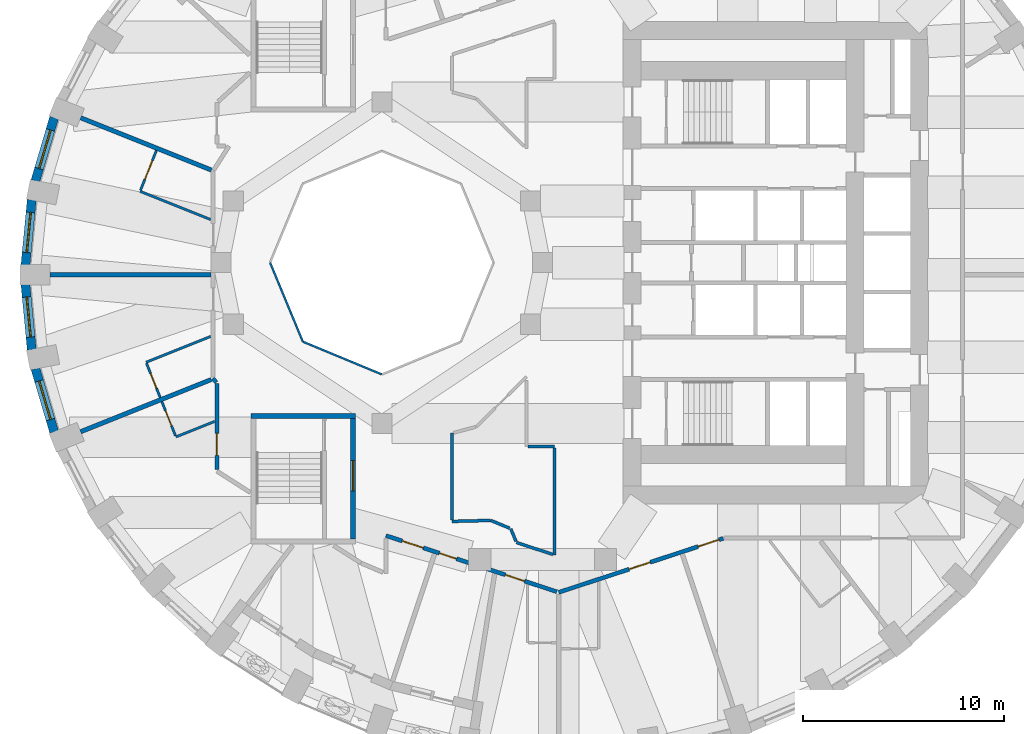
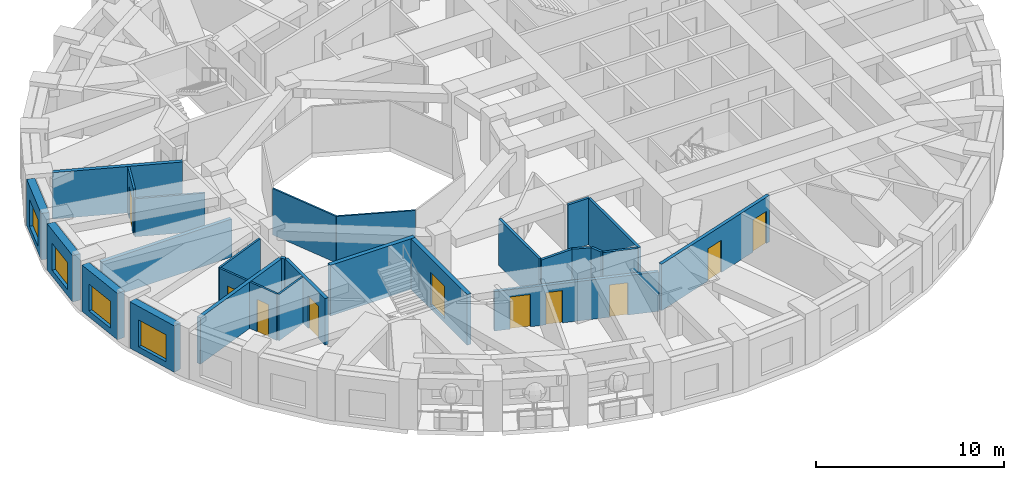
# One storey, part 4 of 12: 28 walls, 10 doors, 4 windows, 14 openings.
"""IFC4 building model written with IfcOpenShell, lengths in metres."""

from ifc_helpers import new_model, si_unit, direction, frame, frame_2d, origin, place, context, subcontext, project, spatial, rectangle, extrude, material, layer, layer_set, type_object, element, fill, save


model = new_model("IFC4")

# Units and contexts
model_context = context("Model", 3, precision=1e-05, world=origin(), true_north=direction((0.0, 1.0)))
body_context = subcontext(model_context, "Body", "Model", "MODEL_VIEW")
ifc_project = project(units=[si_unit("LENGTHUNIT", "METRE"), si_unit("AREAUNIT", "SQUARE_METRE"), si_unit("VOLUMEUNIT", "CUBIC_METRE"), si_unit("PLANEANGLEUNIT", "RADIAN"), si_unit("MASSUNIT", "GRAM", prefix="KILO")], contexts=[model_context])

# Site, building, storey
site_placement = place(None, origin())
site = spatial("IfcSite", under=ifc_project, at=site_placement, CompositionType="ELEMENT")
building_placement = place(site_placement, origin())
building = spatial("IfcBuilding", under=site, at=building_placement, Name="Taillehof Tower", CompositionType="ELEMENT")
storey_placement = place(building_placement, frame((0.0, 0.0, 118.60009765625)))
storey = spatial("IfcBuildingStorey", under=building, at=storey_placement, Name="L33", CompositionType="ELEMENT", Elevation=118.60009765625)

# Walls
ifc_material_1 = material(Name="Fire-resisting glass in steel frame", Category="steel")
ifc_layer_1 = layer(ifc_material_1, 0.10009765625)
ifc_layer_set_1 = layer_set([ifc_layer_1], Name="Atrium fire-resisting screen EI 60 100")
wall_type_1 = type_object("IfcWallType", Name="Atrium fire-resisting screen EI 60 100", PredefinedType="PARTITIONING", material=ifc_layer_set_1)
for number, where, z_axis, x_axis, name in (
    (1, (-8.0, -5.55419921875, 0.0), (0.0, 0.0, 1.0), (-0.923860025149, 0.382730523909, 0.0), "Atrium screen"),
    (2, (-11.92724609375, -3.92724609375, 0.0), (0.0, 0.0, 1.0), (-0.382730523909, 0.923860025149, 0.0), "Atrium screen"),
):
    element("IfcWall", number, at=place(storey_placement, frame(where, z_axis=z_axis, x_axis=x_axis)), inside=storey, type_object=wall_type_1, Name=name, PredefinedType="PARTITIONING", context=body_context, shape_type="SweptSolid", body=[
        extrude(rectangle(XDim=4.2509765625, YDim=0.10009765625, at=frame_2d((2.12548828125, 0.0))), origin(), (0.0, 0.0, 1.0), 3.02001953125),
    ])

# Wall, opening, window
ifc_material_2 = material(Name="Brick masonry", Category="masonry")
ifc_layer_2 = layer(ifc_material_2, 0.449951171875)
ifc_layer_set_2 = layer_set([ifc_layer_2], Name="Brick infill wall 450")
wall_type_2 = type_object("IfcWallType", Name="Brick infill wall 450", PredefinedType="SOLIDWALL", material=ifc_layer_set_2)
wall_1_placement = place(storey_placement, frame((-24.302001953125, 7.220703125, 0.0), z_axis=(0.0, 0.0, 1.0), x_axis=(-0.283071248438, -0.959098883488, 0.0)))
wall_1 = element("IfcWall", 3, at=wall_1_placement, inside=storey, type_object=wall_type_2, Name="Brick wall L33 bay 17", PredefinedType="SOLIDWALL", context=body_context, shape_type="SweptSolid", body=[
    extrude(rectangle(XDim=3.2861328125, YDim=0.449951171875, at=frame_2d((1.64306640625, 0.0))), origin(), (0.0, 0.0, 1.0), 3.02001953125),
])
opening_1_placement = place(wall_1_placement, frame((0.64306640625, 0.0, 0.39990234375)))
opening_1 = element("IfcOpeningElement", 4, at=opening_1_placement, cuts=wall_1, Name="Opening W2", PredefinedType="OPENING", context=body_context, shape_type="SweptSolid", body=[
    extrude(rectangle(XDim=2.0, YDim=1.75, at=frame_2d((1.0, 0.875))), frame((0.0, 0.23486328125, 0.0), z_axis=(0.0, -1.0, 0.0), x_axis=(1.0, 0.0, 0.0)), (0.0, 0.0, 1.0), 0.469970703125),
])
ifc_material_3 = material(Name="Aluminium window frame with clear double glazing", Category="aluminium")
window_type = type_object("IfcWindowType", Name="Deep-set window 2000x1750", PartitioningType="SINGLE_PANEL", PredefinedType="WINDOW", material=ifc_material_3)
window_1_placement = place(opening_1_placement, origin())
window_1 = element("IfcWindow", 5, at=window_1_placement, inside=storey, type_object=window_type, Name="W2", OverallHeight=1.75, OverallWidth=2.0, PartitioningType="SINGLE_PANEL", PredefinedType="WINDOW", context=body_context, shape_type="SweptSolid", body=[
    extrude(rectangle(XDim=2.0, YDim=1.75, at=frame_2d((1.0, 0.875))), frame((0.0, 0.034912109375, 0.0), z_axis=(0.0, -1.0, 0.0), x_axis=(1.0, 0.0, 0.0)), (0.0, 0.0, 1.0), 0.06005859375),
])
fill(opening_1, window_1)

wall_2_placement = place(storey_placement, frame((-25.414794921875, 3.12646484375, 0.0), z_axis=(0.0, 0.0, 1.0), x_axis=(-0.095967726544, -0.995384446062, 0.0)))
wall_2 = element("IfcWall", 6, at=wall_2_placement, inside=storey, type_object=wall_type_2, Name="Brick wall L33 bay 18", PredefinedType="SOLIDWALL", context=body_context, shape_type="SweptSolid", body=[
    extrude(rectangle(XDim=3.261474609375, YDim=0.449951171875, at=frame_2d((1.630859375, 0.0))), origin(), (0.0, 0.0, 1.0), 3.02001953125),
])
opening_2_placement = place(wall_2_placement, frame((0.630615234375, 0.0, 0.39990234375)))
opening_2 = element("IfcOpeningElement", 7, at=opening_2_placement, cuts=wall_2, Name="Opening W2", PredefinedType="OPENING", context=body_context, shape_type="SweptSolid", body=[
    extrude(rectangle(XDim=2.0, YDim=1.75, at=frame_2d((1.0, 0.875))), frame((0.0, 0.23486328125, 0.0), z_axis=(0.0, -1.0, 0.0), x_axis=(1.0, 0.0, 0.0)), (0.0, 0.0, 1.0), 0.469970703125),
])
window_2_placement = place(opening_2_placement, origin())
window_2 = element("IfcWindow", 8, at=window_2_placement, inside=storey, type_object=window_type, Name="W2", OverallHeight=1.75, OverallWidth=2.0, PartitioningType="SINGLE_PANEL", PredefinedType="WINDOW", context=body_context, shape_type="SweptSolid", body=[
    extrude(rectangle(XDim=2.0, YDim=1.75, at=frame_2d((1.0, 0.875))), frame((0.0, 0.034912109375, 0.0), z_axis=(0.0, -1.0, 0.0), x_axis=(1.0, 0.0, 0.0)), (0.0, 0.0, 1.0), 0.06005859375),
])
fill(opening_2, window_2)

wall_3_placement = place(storey_placement, frame((-25.727783203125, -1.080078125, 0.0), z_axis=(0.0, 0.0, 1.0), x_axis=(0.095967726544, -0.995384446062, 0.0)))
wall_3 = element("IfcWall", 9, at=wall_3_placement, inside=storey, type_object=wall_type_2, Name="Brick wall L33 bay 19", PredefinedType="SOLIDWALL", context=body_context, shape_type="SweptSolid", body=[
    extrude(rectangle(XDim=3.261474609375, YDim=0.449951171875, at=frame_2d((1.630859375, 0.0))), origin(), (0.0, 0.0, 1.0), 3.02001953125),
])
opening_3_placement = place(wall_3_placement, frame((0.630615234375, 0.0, 0.39990234375)))
opening_3 = element("IfcOpeningElement", 10, at=opening_3_placement, cuts=wall_3, Name="Opening W2", PredefinedType="OPENING", context=body_context, shape_type="SweptSolid", body=[
    extrude(rectangle(XDim=2.0, YDim=1.75, at=frame_2d((1.0, 0.875))), frame((0.0, 0.23486328125, 0.0), z_axis=(0.0, -1.0, 0.0), x_axis=(1.0, 0.0, 0.0)), (0.0, 0.0, 1.0), 0.469970703125),
])
window_3_placement = place(opening_3_placement, origin())
window_3 = element("IfcWindow", 11, at=window_3_placement, inside=storey, type_object=window_type, Name="W2", OverallHeight=1.75, OverallWidth=2.0, PartitioningType="SINGLE_PANEL", PredefinedType="WINDOW", context=body_context, shape_type="SweptSolid", body=[
    extrude(rectangle(XDim=2.0, YDim=1.75, at=frame_2d((1.0, 0.875))), frame((0.0, 0.034912109375, 0.0), z_axis=(0.0, -1.0, 0.0), x_axis=(1.0, 0.0, 0.0)), (0.0, 0.0, 1.0), 0.06005859375),
])
fill(opening_3, window_3)

wall_4_placement = place(storey_placement, frame((-25.232177734375, -5.26904296875, 0.0), z_axis=(0.0, 0.0, 1.0), x_axis=(0.283051078697, -0.959104836214, 0.0)))
wall_4 = element("IfcWall", 12, at=wall_4_placement, inside=storey, type_object=wall_type_2, Name="Brick wall L33 bay 20", PredefinedType="SOLIDWALL", context=body_context, shape_type="SweptSolid", body=[
    extrude(rectangle(XDim=3.2861328125, YDim=0.449951171875, at=frame_2d((1.64306640625, 0.0))), origin(), (0.0, 0.0, 1.0), 3.02001953125),
])
opening_4_placement = place(wall_4_placement, frame((0.64306640625, 0.0, 0.39990234375)))
opening_4 = element("IfcOpeningElement", 13, at=opening_4_placement, cuts=wall_4, Name="Opening W2", PredefinedType="OPENING", context=body_context, shape_type="SweptSolid", body=[
    extrude(rectangle(XDim=2.0, YDim=1.75, at=frame_2d((1.0, 0.875))), frame((0.0, 0.23486328125, 0.0), z_axis=(0.0, -1.0, 0.0), x_axis=(1.0, 0.0, 0.0)), (0.0, 0.0, 1.0), 0.469970703125),
])
window_4_placement = place(opening_4_placement, origin())
window_4 = element("IfcWindow", 14, at=window_4_placement, inside=storey, type_object=window_type, Name="W2", OverallHeight=1.75, OverallWidth=2.0, PartitioningType="SINGLE_PANEL", PredefinedType="WINDOW", context=body_context, shape_type="SweptSolid", body=[
    extrude(rectangle(XDim=2.0, YDim=1.75, at=frame_2d((1.0, 0.875))), frame((0.0, 0.034912109375, 0.0), z_axis=(0.0, -1.0, 0.0), x_axis=(1.0, 0.0, 0.0)), (0.0, 0.0, 1.0), 0.06005859375),
])
fill(opening_4, window_4)

# Wall, opening, door
ifc_material_4 = material(Name="Gypsum board on steel studs, two layers each side", Category="steel")
ifc_layer_3 = layer(ifc_material_4, 0.199951171875)
ifc_layer_set_3 = layer_set([ifc_layer_3], Name="Compartment wall corridor 200")
wall_type_3 = type_object("IfcWallType", Name="Compartment wall corridor 200", PredefinedType="PARTITIONING", material=ifc_layer_set_3)
wall_5_placement = place(storey_placement, frame((-16.199951171875, -10.294189453125, 0.0), z_axis=(0.0, 0.0, 1.0), x_axis=(0.0, 1.0, 0.0)))
wall_5 = element("IfcWall", 15, at=wall_5_placement, inside=storey, type_object=wall_type_3, Name="Compartment wall", PredefinedType="PARTITIONING", context=body_context, shape_type="SweptSolid", body=[
    extrude(rectangle(XDim=4.285400390625, YDim=0.199951171875, at=frame_2d((2.142578125, 0.0))), origin(), (0.0, 0.0, 1.0), 3.02001953125),
])
opening_5_placement = place(wall_5_placement, frame((0.703125, 0.0, 0.0)))
opening_5 = element("IfcOpeningElement", 16, at=opening_5_placement, cuts=wall_5, Name="Opening D3352", PredefinedType="OPENING", context=body_context, shape_type="SweptSolid", body=[
    extrude(rectangle(XDim=1.10009765625, YDim=2.10009765625, at=frame_2d((0.550048828125, 1.050048828125))), frame((0.0, 0.10986328125, 0.0), z_axis=(0.0, -1.0, 0.0), x_axis=(1.0, 0.0, 0.0)), (0.0, 0.0, 1.0), 0.219970703125),
])
ifc_material_5 = material(Name="Timber door leaf in steel frame", Category="steel")
door_type_1 = type_object("IfcDoorType", Name="Suite entrance door EI 30 1100 x 2100", OperationType="SINGLE_SWING_LEFT", PredefinedType="DOOR", material=ifc_material_5)
door_1_placement = place(opening_5_placement, origin())
door_1 = element("IfcDoor", 17, at=door_1_placement, inside=storey, type_object=door_type_1, Name="D3352", OperationType="SINGLE_SWING_RIGHT", OverallHeight=2.10009765625, OverallWidth=1.10009765625, PredefinedType="DOOR", context=body_context, shape_type="SweptSolid", body=[
    extrude(rectangle(XDim=1.10009765625, YDim=2.10009765625, at=frame_2d((0.550048828125, 1.050048828125))), frame((0.0, 0.02490234375, 0.0), z_axis=(0.0, -1.0, 0.0), x_axis=(1.0, 0.0, 0.0)), (0.0, 0.0, 1.0), 0.050048828125),
])
fill(opening_5, door_1)

# Wall
wall_6_placement = place(storey_placement, frame((-16.236572265625, -5.961181640625, 0.0), z_axis=(0.0, 0.0, 1.0), x_axis=(-0.61310674242, 0.790000077468, 0.0)))
element("IfcWall", 18, at=wall_6_placement, inside=storey, type_object=wall_type_3, Name="Compartment wall", PredefinedType="PARTITIONING", context=body_context, shape_type="SweptSolid", body=[
    extrude(rectangle(XDim=0.263671875, YDim=0.199951171875, at=frame_2d((0.1318359375, 0.0))), origin(), (0.0, 0.0, 1.0), 3.02001953125),
])

# Wall, openings, doors
wall_7_placement = place(storey_placement, frame((8.984130859375, -13.712646484375, 0.0), z_axis=(0.0, 0.0, 1.0), x_axis=(-0.950093687873, -0.311964716378, 0.0)))
wall_7 = element("IfcWall", 19, at=wall_7_placement, inside=storey, type_object=wall_type_3, Name="Compartment wall", PredefinedType="PARTITIONING", context=body_context, shape_type="SweptSolid", body=[
    extrude(rectangle(XDim=8.614013671875, YDim=0.199951171875, at=frame_2d((4.30712890625, 0.0))), origin(), (0.0, 0.0, 1.0), 3.02001953125),
])
opening_6_placement = place(wall_7_placement, frame((3.819580078125, 0.0, 0.0)))
opening_6 = element("IfcOpeningElement", 20, at=opening_6_placement, cuts=wall_7, Name="Opening D3358", PredefinedType="OPENING", context=body_context, shape_type="SweptSolid", body=[
    extrude(rectangle(XDim=1.10009765625, YDim=2.10009765625, at=frame_2d((0.550048828125, 1.050048828125))), frame((0.0, 0.10986328125, 0.0), z_axis=(0.0, -1.0, 0.0), x_axis=(1.0, 0.0, 0.0)), (0.0, 0.0, 1.0), 0.219970703125),
])
opening_7_placement = place(wall_7_placement, frame((0.219970703125, 0.0, 0.0)))
opening_7 = element("IfcOpeningElement", 21, at=opening_7_placement, cuts=wall_7, Name="Opening D3360", PredefinedType="OPENING", context=body_context, shape_type="SweptSolid", body=[
    extrude(rectangle(XDim=1.10009765625, YDim=2.10009765625, at=frame_2d((0.550048828125, 1.050048828125))), frame((0.0, 0.10986328125, 0.0), z_axis=(0.0, -1.0, 0.0), x_axis=(1.0, 0.0, 0.0)), (0.0, 0.0, 1.0), 0.219970703125),
])
door_2_placement = place(opening_6_placement, origin())
door_2 = element("IfcDoor", 22, at=door_2_placement, inside=storey, type_object=door_type_1, Name="D3358", OperationType="SINGLE_SWING_LEFT", OverallHeight=2.10009765625, OverallWidth=1.10009765625, PredefinedType="DOOR", context=body_context, shape_type="SweptSolid", body=[
    extrude(rectangle(XDim=1.10009765625, YDim=2.10009765625, at=frame_2d((0.550048828125, 1.050048828125))), frame((0.0, 0.02490234375, 0.0), z_axis=(0.0, -1.0, 0.0), x_axis=(1.0, 0.0, 0.0)), (0.0, 0.0, 1.0), 0.050048828125),
])
fill(opening_6, door_2)
door_3_placement = place(opening_7_placement, origin())
door_3 = element("IfcDoor", 23, at=door_3_placement, inside=storey, type_object=door_type_1, Name="D3360", OperationType="SINGLE_SWING_LEFT", OverallHeight=2.10009765625, OverallWidth=1.10009765625, PredefinedType="DOOR", context=body_context, shape_type="SweptSolid", body=[
    extrude(rectangle(XDim=1.10009765625, YDim=2.10009765625, at=frame_2d((0.550048828125, 1.050048828125))), frame((0.0, 0.02490234375, 0.0), z_axis=(0.0, -1.0, 0.0), x_axis=(1.0, 0.0, 0.0)), (0.0, 0.0, 1.0), 0.050048828125),
])
fill(opening_7, door_3)

wall_8_placement = place(storey_placement, frame((0.704833984375, -16.3681640625, 0.0), z_axis=(0.0, 0.0, 1.0), x_axis=(-0.95010544032, 0.311928921832, 0.0)))
wall_8 = element("IfcWall", 24, at=wall_8_placement, inside=storey, type_object=wall_type_3, Name="Compartment wall", PredefinedType="PARTITIONING", context=body_context, shape_type="SweptSolid", body=[
    extrude(rectangle(XDim=8.951416015625, YDim=0.199951171875, at=frame_2d((4.4755859375, 0.0))), origin(), (0.0, 0.0, 1.0), 2.56982421875),
])
opening_8_placement = place(wall_8_placement, frame((6.993408203125, 0.0, 0.0)))
opening_8 = element("IfcOpeningElement", 25, at=opening_8_placement, cuts=wall_8, Name="Opening D3354", PredefinedType="OPENING", context=body_context, shape_type="SweptSolid", body=[
    extrude(rectangle(XDim=1.10009765625, YDim=2.10009765625, at=frame_2d((0.550048828125, 1.050048828125))), frame((0.0, 0.10986328125, 0.0), z_axis=(0.0, -1.0, 0.0), x_axis=(1.0, 0.0, 0.0)), (0.0, 0.0, 1.0), 0.219970703125),
])
opening_9_placement = place(wall_8_placement, frame((5.248291015625, 0.0, 0.0)))
opening_9 = element("IfcOpeningElement", 26, at=opening_9_placement, cuts=wall_8, Name="Opening D3355", PredefinedType="OPENING", context=body_context, shape_type="SweptSolid", body=[
    extrude(rectangle(XDim=0.89990234375, YDim=2.10009765625, at=frame_2d((0.449951171875, 1.050048828125))), frame((0.0, 0.10986328125, 0.0), z_axis=(0.0, -1.0, 0.0), x_axis=(1.0, 0.0, 0.0)), (0.0, 0.0, 1.0), 0.219970703125),
])
opening_10_placement = place(wall_8_placement, frame((1.68798828125, 0.0, 0.0)))
opening_10 = element("IfcOpeningElement", 27, at=opening_10_placement, cuts=wall_8, Name="Opening D3356", PredefinedType="OPENING", context=body_context, shape_type="SweptSolid", body=[
    extrude(rectangle(XDim=1.0, YDim=2.10009765625, at=frame_2d((0.5, 1.050048828125))), frame((0.0, 0.10986328125, 0.0), z_axis=(0.0, -1.0, 0.0), x_axis=(1.0, 0.0, 0.0)), (0.0, 0.0, 1.0), 0.219970703125),
])
ifc_material_6 = material(Name="Timber door leaf in steel frame", Category="steel")
door_type_2 = type_object("IfcDoorType", Name="Guest room door EI 30 1000 x 2100", OperationType="SINGLE_SWING_LEFT", PredefinedType="DOOR", material=ifc_material_6)
door_4_placement = place(opening_10_placement, origin())
door_4 = element("IfcDoor", 28, at=door_4_placement, inside=storey, type_object=door_type_2, Name="D3356", OperationType="SINGLE_SWING_LEFT", OverallHeight=2.10009765625, OverallWidth=1.0, PredefinedType="DOOR", context=body_context, shape_type="SweptSolid", body=[
    extrude(rectangle(XDim=1.0, YDim=2.10009765625, at=frame_2d((0.5, 1.050048828125))), frame((0.0, 0.02490234375, 0.0), z_axis=(0.0, -1.0, 0.0), x_axis=(1.0, 0.0, 0.0)), (0.0, 0.0, 1.0), 0.050048828125),
])
fill(opening_10, door_4)
ifc_material_7 = material(Name="Timber door leaf in steel frame", Category="steel")
door_type_3 = type_object("IfcDoorType", Name="Service room door EI 30 900 x 2100", OperationType="SINGLE_SWING_LEFT", PredefinedType="DOOR", material=ifc_material_7)
door_5_placement = place(opening_9_placement, origin())
door_5 = element("IfcDoor", 29, at=door_5_placement, inside=storey, type_object=door_type_3, Name="D3355", OperationType="SINGLE_SWING_RIGHT", OverallHeight=2.10009765625, OverallWidth=0.89990234375, PredefinedType="DOOR", context=body_context, shape_type="SweptSolid", body=[
    extrude(rectangle(XDim=0.89990234375, YDim=2.10009765625, at=frame_2d((0.449951171875, 1.050048828125))), frame((0.0, 0.02490234375, 0.0), z_axis=(0.0, -1.0, 0.0), x_axis=(1.0, 0.0, 0.0)), (0.0, 0.0, 1.0), 0.050048828125),
])
fill(opening_9, door_5)
door_6_placement = place(opening_8_placement, origin())
door_6 = element("IfcDoor", 30, at=door_6_placement, inside=storey, type_object=door_type_1, Name="D3354", OperationType="SINGLE_SWING_LEFT", OverallHeight=2.10009765625, OverallWidth=1.10009765625, PredefinedType="DOOR", context=body_context, shape_type="SweptSolid", body=[
    extrude(rectangle(XDim=1.10009765625, YDim=2.10009765625, at=frame_2d((0.550048828125, 1.050048828125))), frame((0.0, 0.02490234375, 0.0), z_axis=(0.0, -1.0, 0.0), x_axis=(1.0, 0.0, 0.0)), (0.0, 0.0, 1.0), 0.050048828125),
])
fill(opening_8, door_6)

# Walls
ifc_material_8 = material(Name="Gypsum board on double steel studs with mineral wool", Category="steel")
ifc_layer_4 = layer(ifc_material_8, 0.219970703125)
ifc_layer_set_4 = layer_set([ifc_layer_4], Name="Compartment wall guest room 220")
wall_type_4 = type_object("IfcWallType", Name="Compartment wall guest room 220", PredefinedType="PARTITIONING", material=ifc_layer_set_4)
wall_9_placement = place(storey_placement, frame((-22.982666015625, 7.21044921875, 0.0), z_axis=(0.0, 0.0, 1.0), x_axis=(0.928548801607, -0.371210348771, 0.0)))
element("IfcWall", 31, at=wall_9_placement, inside=storey, type_object=wall_type_4, Name="Compartment wall", PredefinedType="PARTITIONING", context=body_context, shape_type="SweptSolid", body=[
    extrude(rectangle(XDim=7.003173828125, YDim=0.219970703125, at=frame_2d((3.50146484375, 0.0))), origin(), (0.0, 0.0, 1.0), 3.02001953125),
])
wall_10_placement = place(storey_placement, frame((-24.5, -0.60009765625, 0.0), z_axis=(0.0, 0.0, 1.0), x_axis=(1.0, 0.0, 0.0)))
element("IfcWall", 32, at=wall_10_placement, inside=storey, type_object=wall_type_4, Name="Compartment wall", PredefinedType="PARTITIONING", context=body_context, shape_type="SweptSolid", body=[
    extrude(rectangle(XDim=8.001708984375, YDim=0.219970703125, at=frame_2d((4.0009765625, 0.0))), origin(), (0.0, 0.0, 1.0), 2.469970703125),
])
wall_11_placement = place(storey_placement, frame((-22.982666015625, -8.410400390625, 0.0), z_axis=(0.0, 0.0, 1.0), x_axis=(0.928551252469, 0.371204218105, 0.0)))
element("IfcWall", 33, at=wall_11_placement, inside=storey, type_object=wall_type_4, Name="Compartment wall", PredefinedType="PARTITIONING", context=body_context, shape_type="SweptSolid", body=[
    extrude(rectangle(XDim=6.99853515625, YDim=0.219970703125, at=frame_2d((3.499267578125, 0.0))), origin(), (0.0, 0.0, 1.0), 3.02001953125),
])
ifc_material_9 = material(Name="Gypsum board on steel studs, two layers each side", Category="steel")
ifc_layer_5 = layer(ifc_material_9, 0.14990234375)
ifc_layer_set_5 = layer_set([ifc_layer_5], Name="Compartment wall service room 150")
wall_type_5 = type_object("IfcWallType", Name="Compartment wall service room 150", PredefinedType="PARTITIONING", material=ifc_layer_set_5)
wall_12_placement = place(storey_placement, frame((-0.719970703125, -9.14990234375, 0.0), z_axis=(0.0, 0.0, 1.0), x_axis=(1.0, 0.0, 0.0)))
element("IfcWall", 34, at=wall_12_placement, inside=storey, type_object=wall_type_5, Name="Compartment wall", PredefinedType="PARTITIONING", context=body_context, shape_type="SweptSolid", body=[
    extrude(rectangle(XDim=1.320068359375, YDim=0.14990234375, at=frame_2d((0.66015625, 0.0))), origin(), (0.0, 0.0, 1.0), 3.02001953125),
])
wall_13_placement = place(storey_placement, frame((0.60009765625, -9.22998046875, 0.0), z_axis=(0.0, 0.0, 1.0), x_axis=(0.0, -1.0, 0.0)))
element("IfcWall", 35, at=wall_13_placement, inside=storey, type_object=wall_type_5, Name="Compartment wall", PredefinedType="PARTITIONING", context=body_context, shape_type="SweptSolid", body=[
    extrude(rectangle(XDim=5.31494140625, YDim=0.14990234375, at=frame_2d((2.657470703125, 0.0))), origin(), (0.0, 0.0, 1.0), 3.02001953125),
])
wall_14_placement = place(storey_placement, frame((0.5048828125, -14.51318359375, 0.0), z_axis=(0.0, 0.0, 1.0), x_axis=(-0.950175898888, 0.31171422998, 0.0)))
element("IfcWall", 36, at=wall_14_placement, inside=storey, type_object=wall_type_5, Name="Compartment wall", PredefinedType="PARTITIONING", context=body_context, shape_type="SweptSolid", body=[
    extrude(rectangle(XDim=1.900146484375, YDim=0.14990234375, at=frame_2d((0.9501953125, 0.0))), origin(), (0.0, 0.0, 1.0), 3.02001953125),
])
wall_15_placement = place(storey_placement, frame((-1.3232421875, -13.865234375, 0.0), z_axis=(0.0, 0.0, 1.0), x_axis=(-0.382970536008, 0.923760558018, 0.0)))
element("IfcWall", 37, at=wall_15_placement, inside=storey, type_object=wall_type_5, Name="Compartment wall", PredefinedType="PARTITIONING", context=body_context, shape_type="SweptSolid", body=[
    extrude(rectangle(XDim=0.685302734375, YDim=0.14990234375, at=frame_2d((0.3427734375, 0.0))), origin(), (0.0, 0.0, 1.0), 3.02001953125),
])
wall_16_placement = place(storey_placement, frame((-1.641357421875, -13.20947265625, 0.0), z_axis=(0.0, 0.0, 1.0), x_axis=(-0.923725449546, 0.383055209937, 0.0)))
element("IfcWall", 38, at=wall_16_placement, inside=storey, type_object=wall_type_5, Name="Compartment wall", PredefinedType="PARTITIONING", context=body_context, shape_type="SweptSolid", body=[
    extrude(rectangle(XDim=1.011474609375, YDim=0.14990234375, at=frame_2d((0.505859375, 0.0))), origin(), (0.0, 0.0, 1.0), 3.02001953125),
])
wall_17_placement = place(storey_placement, frame((-2.595703125, -12.822509765625, 0.0), z_axis=(0.0, 0.0, 1.0), x_axis=(-0.999684436087, -0.025120275573, 0.0)))
element("IfcWall", 39, at=wall_17_placement, inside=storey, type_object=wall_type_5, Name="Compartment wall", PredefinedType="PARTITIONING", context=body_context, shape_type="SweptSolid", body=[
    extrude(rectangle(XDim=1.90478515625, YDim=0.14990234375, at=frame_2d((0.952392578125, 0.0))), origin(), (0.0, 0.0, 1.0), 3.02001953125),
])
wall_18_placement = place(storey_placement, frame((-4.5, -12.790283203125, 0.0), z_axis=(0.0, 0.0, 1.0), x_axis=(0.0, 1.0, 0.0)))
element("IfcWall", 40, at=wall_18_placement, inside=storey, type_object=wall_type_5, Name="Compartment wall", PredefinedType="PARTITIONING", context=body_context, shape_type="SweptSolid", body=[
    extrude(rectangle(XDim=4.30712890625, YDim=0.14990234375, at=frame_2d((2.153564453125, 0.0))), origin(), (0.0, 0.0, 1.0), 3.02001953125),
])
ifc_material_10 = material(Name="Gypsum board on steel studs, moisture resistant", Category="steel")
ifc_layer_6 = layer(ifc_material_10, 0.1201171875)
ifc_layer_set_6 = layer_set([ifc_layer_6], Name="En-suite wall 120")
wall_type_6 = type_object("IfcWallType", Name="En-suite wall 120", PredefinedType="PARTITIONING", material=ifc_layer_set_6)
wall_19_placement = place(storey_placement, frame((-16.516845703125, 2.1484375, 0.0), z_axis=(0.0, 0.0, 1.0), x_axis=(-0.928534615374, 0.37124583237, 0.0)))
element("IfcWall", 41, at=wall_19_placement, inside=storey, type_object=wall_type_6, Name="En-suite wall", PredefinedType="PARTITIONING", context=body_context, shape_type="SweptSolid", body=[
    extrude(rectangle(XDim=3.778076171875, YDim=0.1201171875, at=frame_2d((1.88916015625, 0.0))), origin(), (0.0, 0.0, 1.0), 2.469970703125),
])
wall_20_placement = place(storey_placement, frame((-16.516845703125, -3.671630859375, 0.0), z_axis=(0.0, 0.0, 1.0), x_axis=(-0.928554629191, -0.371195771268, 0.0)))
element("IfcWall", 42, at=wall_20_placement, inside=storey, type_object=wall_type_6, Name="En-suite wall", PredefinedType="PARTITIONING", context=body_context, shape_type="SweptSolid", body=[
    extrude(rectangle(XDim=3.45556640625, YDim=0.1201171875, at=frame_2d((1.727783203125, 0.0))), origin(), (0.0, 0.0, 1.0), 3.02001953125),
])
wall_21_placement = place(storey_placement, frame((-16.318603515625, -7.900146484375, 0.0), z_axis=(0.0, 0.0, 1.0), x_axis=(-0.92852548478, -0.371268668371, 0.0)))
element("IfcWall", 43, at=wall_21_placement, inside=storey, type_object=wall_type_6, Name="En-suite wall", PredefinedType="PARTITIONING", context=body_context, shape_type="SweptSolid", body=[
    extrude(rectangle(XDim=2.070068359375, YDim=0.1201171875, at=frame_2d((1.03515625, 0.0))), origin(), (0.0, 0.0, 1.0), 3.02001953125),
])

# Wall, opening, door
wall_22_placement = place(storey_placement, frame((-20.0029296875, 3.606689453125, 0.0), z_axis=(0.0, 0.0, 1.0), x_axis=(0.371351153758, 0.928492498948, 0.0)))
wall_22 = element("IfcWall", 44, at=wall_22_placement, inside=storey, type_object=wall_type_6, Name="En-suite wall", PredefinedType="PARTITIONING", context=body_context, shape_type="SweptSolid", body=[
    extrude(rectangle(XDim=2.130126953125, YDim=0.1201171875, at=frame_2d((1.06494140625, 0.0))), origin(), (0.0, 0.0, 1.0), 3.02001953125),
])
opening_11_placement = place(wall_22_placement, frame((0.590087890625, 0.0, 0.0)))
opening_11 = element("IfcOpeningElement", 45, at=opening_11_placement, cuts=wall_22, Name="Opening D3349", PredefinedType="OPENING", context=body_context, shape_type="SweptSolid", body=[
    extrude(rectangle(XDim=1.0, YDim=2.10009765625, at=frame_2d((0.5, 1.050048828125))), frame((0.0, 0.070068359375, 0.0), z_axis=(0.0, -1.0, 0.0), x_axis=(1.0, 0.0, 0.0)), (0.0, 0.0, 1.0), 0.14013671875),
])
ifc_material_11 = material(Name="Timber door leaf in steel frame", Category="steel")
door_type_4 = type_object("IfcDoorType", Name="Accessible en-suite door 1000 x 2100", OperationType="SINGLE_SWING_LEFT", PredefinedType="DOOR", material=ifc_material_11)
door_7_placement = place(opening_11_placement, origin())
door_7 = element("IfcDoor", 46, at=door_7_placement, inside=storey, type_object=door_type_4, Name="D3349", OperationType="SINGLE_SWING_RIGHT", OverallHeight=2.10009765625, OverallWidth=1.0, PredefinedType="DOOR", context=body_context, shape_type="SweptSolid", body=[
    extrude(rectangle(XDim=1.0, YDim=2.10009765625, at=frame_2d((0.5, 1.050048828125))), frame((0.0, 0.02490234375, 0.0), z_axis=(0.0, -1.0, 0.0), x_axis=(1.0, 0.0, 0.0)), (0.0, 0.0, 1.0), 0.050048828125),
])
fill(opening_11, door_7)

wall_23_placement = place(storey_placement, frame((-19.703369140625, -5.010009765625, 0.0), z_axis=(0.0, 0.0, 1.0), x_axis=(0.371229680537, -0.928541073022, 0.0)))
wall_23 = element("IfcWall", 47, at=wall_23_placement, inside=storey, type_object=wall_type_6, Name="En-suite wall", PredefinedType="PARTITIONING", context=body_context, shape_type="SweptSolid", body=[
    extrude(rectangle(XDim=1.830322265625, YDim=0.1201171875, at=frame_2d((0.9150390625, 0.0))), origin(), (0.0, 0.0, 1.0), 3.02001953125),
])
opening_12_placement = place(wall_23_placement, frame((0.5400390625, 0.0, 0.0)))
opening_12 = element("IfcOpeningElement", 48, at=opening_12_placement, cuts=wall_23, Name="Opening D3351", PredefinedType="OPENING", context=body_context, shape_type="SweptSolid", body=[
    extrude(rectangle(XDim=0.800048828125, YDim=2.10009765625, at=frame_2d((0.39990234375, 1.050048828125))), frame((0.0, 0.070068359375, 0.0), z_axis=(0.0, -1.0, 0.0), x_axis=(1.0, 0.0, 0.0)), (0.0, 0.0, 1.0), 0.14013671875),
])
ifc_material_12 = material(Name="Timber door leaf in steel frame", Category="steel")
door_type_5 = type_object("IfcDoorType", Name="En-suite door 800 x 2100", OperationType="SINGLE_SWING_LEFT", PredefinedType="DOOR", material=ifc_material_12)
door_8_placement = place(opening_12_placement, origin())
door_8 = element("IfcDoor", 49, at=door_8_placement, inside=storey, type_object=door_type_5, Name="D3351", OperationType="SINGLE_SWING_LEFT", OverallHeight=2.10009765625, OverallWidth=0.800048828125, PredefinedType="DOOR", context=body_context, shape_type="SweptSolid", body=[
    extrude(rectangle(XDim=0.800048828125, YDim=2.10009765625, at=frame_2d((0.39990234375, 1.050048828125))), frame((0.0, 0.02490234375, 0.0), z_axis=(0.0, -1.0, 0.0), x_axis=(1.0, 0.0, 0.0)), (0.0, 0.0, 1.0), 0.050048828125),
])
fill(opening_12, door_8)

wall_24_placement = place(storey_placement, frame((-18.262939453125, -8.613037109375, 0.0), z_axis=(0.0, 0.0, 1.0), x_axis=(-0.371229680537, 0.928541073022, 0.0)))
wall_24 = element("IfcWall", 50, at=wall_24_placement, inside=storey, type_object=wall_type_6, Name="En-suite wall", PredefinedType="PARTITIONING", context=body_context, shape_type="SweptSolid", body=[
    extrude(rectangle(XDim=1.830322265625, YDim=0.1201171875, at=frame_2d((0.9150390625, 0.0))), origin(), (0.0, 0.0, 1.0), 3.02001953125),
])
opening_13_placement = place(wall_24_placement, frame((0.5400390625, 0.0, 0.0)))
opening_13 = element("IfcOpeningElement", 51, at=opening_13_placement, cuts=wall_24, Name="Opening D3353", PredefinedType="OPENING", context=body_context, shape_type="SweptSolid", body=[
    extrude(rectangle(XDim=0.800048828125, YDim=2.10009765625, at=frame_2d((0.39990234375, 1.050048828125))), frame((0.0, 0.070068359375, 0.0), z_axis=(0.0, -1.0, 0.0), x_axis=(1.0, 0.0, 0.0)), (0.0, 0.0, 1.0), 0.14013671875),
])
door_9_placement = place(opening_13_placement, origin())
door_9 = element("IfcDoor", 52, at=door_9_placement, inside=storey, type_object=door_type_5, Name="D3353", OperationType="SINGLE_SWING_RIGHT", OverallHeight=2.10009765625, OverallWidth=0.800048828125, PredefinedType="DOOR", context=body_context, shape_type="SweptSolid", body=[
    extrude(rectangle(XDim=0.800048828125, YDim=2.10009765625, at=frame_2d((0.39990234375, 1.050048828125))), frame((0.0, 0.02490234375, 0.0), z_axis=(0.0, -1.0, 0.0), x_axis=(1.0, 0.0, 0.0)), (0.0, 0.0, 1.0), 0.050048828125),
])
fill(opening_13, door_9)

ifc_material_13 = material(Name="Concrete C50/60", Category="concrete")
ifc_layer_7 = layer(ifc_material_13, 0.25)
ifc_layer_set_7 = layer_set([ifc_layer_7], Name="Stair wall C50/60 250")
wall_type_7 = type_object("IfcWallType", Name="Stair wall C50/60 250", PredefinedType="SHEAR", material=ifc_layer_set_7)
wall_25_placement = place(storey_placement, frame((-9.425048828125, -13.75, -0.280029296875), z_axis=(0.0, 0.0, 1.0), x_axis=(0.0, 1.0, 0.0)))
wall_25 = element("IfcWall", 53, at=wall_25_placement, inside=storey, type_object=wall_type_7, Name="Stair wall SC", PredefinedType="SHEAR", context=body_context, shape_type="SweptSolid", body=[
    extrude(rectangle(XDim=6.0, YDim=0.25, at=frame_2d((3.0, 0.0))), origin(), (0.0, 0.0, 1.0), 3.300048828125),
])
opening_14_placement = place(wall_25_placement, frame((2.39990234375, 0.0, 0.280029296875)))
opening_14 = element("IfcOpeningElement", 54, at=opening_14_placement, cuts=wall_25, Name="Opening D3320", PredefinedType="OPENING", context=body_context, shape_type="SweptSolid", body=[
    extrude(rectangle(XDim=1.5, YDim=2.10009765625, at=frame_2d((0.75, 1.050048828125))), frame((0.0, 0.135009765625, 0.0), z_axis=(0.0, -1.0, 0.0), x_axis=(1.0, 0.0, 0.0)), (0.0, 0.0, 1.0), 0.27001953125),
])
ifc_material_14 = material(Name="Steel-faced fire door", Category="steel")
door_type_6 = type_object("IfcDoorType", Name="Stair door 1500x2100", OperationType="DOUBLE_DOOR_SINGLE_SWING", PredefinedType="DOOR", material=ifc_material_14)
door_10_placement = place(opening_14_placement, origin())
door_10 = element("IfcDoor", 55, at=door_10_placement, inside=storey, type_object=door_type_6, Name="Stair door S4", OperationType="DOUBLE_DOOR_SINGLE_SWING", OverallHeight=2.10009765625, OverallWidth=1.5, PredefinedType="DOOR", context=body_context, shape_type="SweptSolid", body=[
    extrude(rectangle(XDim=1.5, YDim=2.10009765625, at=frame_2d((0.75, 1.050048828125))), frame((0.0, 0.02490234375, 0.0), z_axis=(0.0, -1.0, 0.0), x_axis=(1.0, 0.0, 0.0)), (0.0, 0.0, 1.0), 0.050048828125),
])
fill(opening_14, door_10)

# Wall
wall_26_placement = place(storey_placement, frame((-14.5, -7.625, -0.280029296875), z_axis=(0.0, 0.0, 1.0), x_axis=(1.0, 0.0, 0.0)))
element("IfcWall", 56, at=wall_26_placement, inside=storey, type_object=wall_type_7, Name="Stair wall SC", PredefinedType="SHEAR", context=body_context, shape_type="SweptSolid", body=[
    extrude(rectangle(XDim=5.199951171875, YDim=0.25, at=frame_2d((2.60009765625, 0.0))), origin(), (0.0, 0.0, 1.0), 3.300048828125),
])

save(model, "model.ifc")
